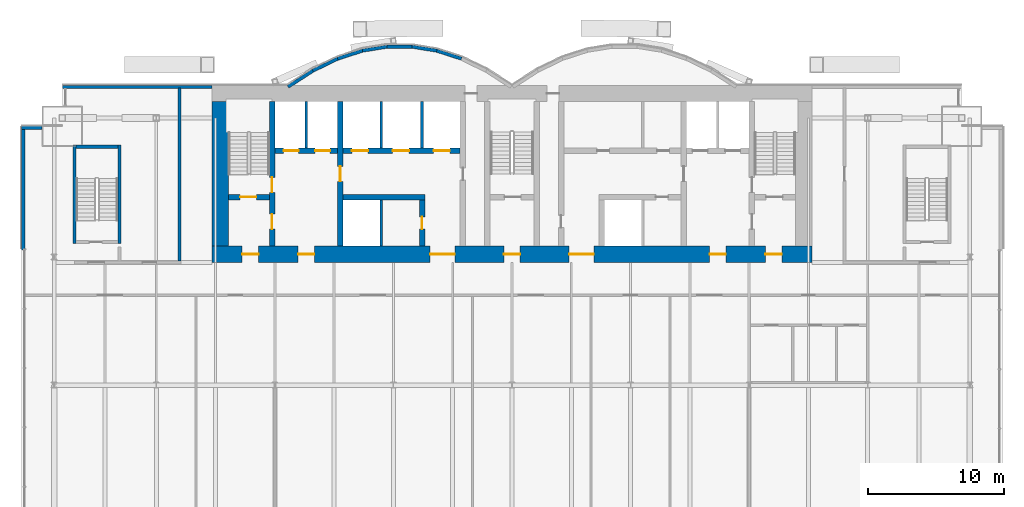
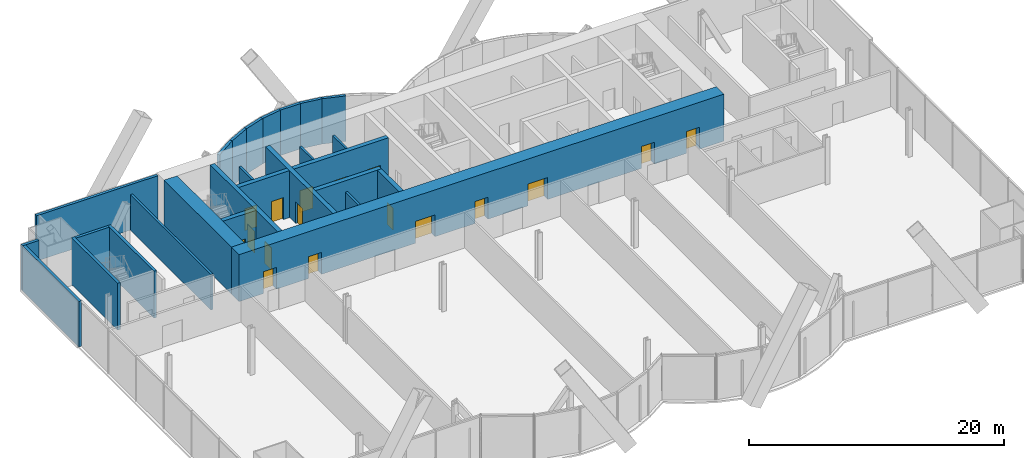
# One storey, part 17 of 23: 26 walls, 17 doors, 17 openings.
"""IFC4 building model written with IfcOpenShell, lengths in metres."""

from ifc_helpers import new_model, si_unit, direction, frame, frame_2d, origin, place, context, subcontext, project, spatial, rectangle, extrude, material, layer, layer_set, layer_usage, type_object, element, fill, save


model = new_model("IFC4")

# Units and contexts
model_context = context("Model", 3, precision=1e-05, world=origin(), true_north=direction((0.0, 1.0)))
body_context = subcontext(model_context, "Body", "Model", "MODEL_VIEW")
ifc_project = project(units=[si_unit("LENGTHUNIT", "METRE"), si_unit("AREAUNIT", "SQUARE_METRE"), si_unit("VOLUMEUNIT", "CUBIC_METRE"), si_unit("PLANEANGLEUNIT", "RADIAN"), si_unit("MASSUNIT", "GRAM", prefix="KILO")], contexts=[model_context])

# Site, building, storey
site_placement = place(None, origin())
site = spatial("IfcSite", under=ifc_project, at=site_placement, CompositionType="ELEMENT")
building_placement = place(site_placement, origin())
building = spatial("IfcBuilding", under=site, at=building_placement, Name="Bicima Exchange Tower", CompositionType="ELEMENT")
storey_placement = place(building_placement, frame((0.0, 0.0, 44.0)))
storey = spatial("IfcBuildingStorey", under=building, at=storey_placement, Name="L08", CompositionType="ELEMENT", Elevation=44.0)

# Walls
ifc_material_1 = material(Name="Gypsum board partition")
ifc_layer_1 = layer(ifc_material_1, 0.199951171875)
ifc_layer_set_1 = layer_set([ifc_layer_1], Name="Gypsum board partition")
wall_type_1 = type_object("IfcWallType", Name="Fire-rated gypsum partition 200 EI120", PredefinedType="PARTITIONING", material=ifc_layer_set_1)
for number, where, z_axis, x_axis, name in (
    (1, (-15.10009765625, -4.60009765625, 0.0), (0.0, 0.0, 1.0), (0.0, 1.0, 0.0), "partition wall 9"),
    (2, (-9.60009765625, -11.800048828125, 0.0), (0.0, 0.0, 1.0), (0.0, 1.0, 0.0), "partition wall 11"),
    (3, (-9.60009765625, -4.60009765625, 0.0), (0.0, 0.0, 1.0), (0.0, 1.0, 0.0), "partition wall 12"),
    (4, (-6.60009765625, -4.60009765625, 0.0), (0.0, 0.0, 1.0), (0.0, 1.0, 0.0), "partition wall 14"),
):
    element("IfcWall", number, at=place(storey_placement, frame(where, z_axis=z_axis, x_axis=x_axis)), inside=storey, type_object=wall_type_1, Name=name, PredefinedType="PARTITIONING", context=body_context, shape_type="SweptSolid", body=[
        extrude(rectangle(XDim=3.400146484375, YDim=0.199951171875, at=frame_2d((1.7001953125, 0.0))), origin(), (0.0, 0.0, 1.0), 3.418212890625),
    ])
ifc_layer_2 = layer(ifc_material_1, 0.199951171875)
ifc_layer_set_2 = layer_set([ifc_layer_2], Name="Gypsum board partition")
wall_type_2 = type_object("IfcWallType", Name="Fire-rated gypsum partition 200 EI60", PredefinedType="PARTITIONING", material=ifc_layer_set_2)
wall_1_placement = place(storey_placement, frame((-24.39990234375, -12.89990234375, 0.0), z_axis=(0.0, 0.0, 1.0), x_axis=(0.0, 1.0, 0.0)))
element("IfcWall", 5, at=wall_1_placement, inside=storey, type_object=wall_type_2, Name="partition wall 14", PredefinedType="PARTITIONING", context=body_context, shape_type="SweptSolid", body=[
    extrude(rectangle(XDim=12.68994140625, YDim=0.199951171875, at=frame_2d((6.344970703125, 0.0))), origin(), (0.0, 0.0, 1.0), 3.418212890625),
])

# Wall, openings, doors
ifc_material_2 = material(Name="Concrete C60/75", Category="concrete")
ifc_layer_3 = layer(ifc_material_2, 1.199951171875)
ifc_layer_set_3 = layer_set([ifc_layer_3], Name="Concrete C60/75")
wall_type_3 = type_object("IfcWallType", Name="RC core wall 1200 C60/75", PredefinedType="SHEAR", material=ifc_layer_set_3)
wall_2_placement = place(storey_placement, frame((-22.0, -12.39990234375, 0.0), z_axis=(0.0, 0.0, 1.0), x_axis=(1.0, 0.0, 0.0)))
wall_2 = element("IfcWall", 6, at=wall_2_placement, inside=storey, type_object=wall_type_3, Name="Core wall south", PredefinedType="SHEAR", context=body_context, shape_type="SweptSolid", body=[
    extrude(rectangle(XDim=44.0, YDim=1.199951171875, at=frame_2d((22.0, 0.0))), origin(), (0.0, 0.0, 1.0), 4.5),
])
opening_1_placement = place(wall_2_placement, frame((2.199951171875, 0.0, 0.0)))
opening_1 = element("IfcOpeningElement", 7, at=opening_1_placement, cuts=wall_2, Name="Opening L08-C18", PredefinedType="OPENING", context=body_context, shape_type="SweptSolid", body=[
    extrude(rectangle(XDim=1.199951171875, YDim=2.10009765625, at=frame_2d((0.60009765625, 1.050048828125))), frame((0.0, 0.61181640625, 0.0), z_axis=(0.0, -1.0, 0.0), x_axis=(1.0, 0.0, 0.0)), (0.0, 0.0, 1.0), 1.223876953125),
])
opening_2_placement = place(wall_2_placement, frame((21.39990234375, 0.0, 0.0)))
opening_2 = element("IfcOpeningElement", 8, at=opening_2_placement, cuts=wall_2, Name="Opening L08-C19", PredefinedType="OPENING", context=body_context, shape_type="SweptSolid", body=[
    extrude(rectangle(XDim=1.199951171875, YDim=2.10009765625, at=frame_2d((0.60009765625, 1.050048828125))), frame((0.0, 0.61181640625, 0.0), z_axis=(0.0, -1.0, 0.0), x_axis=(1.0, 0.0, 0.0)), (0.0, 0.0, 1.0), 1.223876953125),
])
opening_3_placement = place(wall_2_placement, frame((40.60009765625, 0.0, 0.0)))
opening_3 = element("IfcOpeningElement", 9, at=opening_3_placement, cuts=wall_2, Name="Opening L08-C20", PredefinedType="OPENING", context=body_context, shape_type="SweptSolid", body=[
    extrude(rectangle(XDim=1.199951171875, YDim=2.10009765625, at=frame_2d((0.60009765625, 1.050048828125))), frame((0.0, 0.61181640625, 0.0), z_axis=(0.0, -1.0, 0.0), x_axis=(1.0, 0.0, 0.0)), (0.0, 0.0, 1.0), 1.223876953125),
])
opening_4_placement = place(wall_2_placement, frame((16.0, 0.0, 0.0)))
opening_4 = element("IfcOpeningElement", 10, at=opening_4_placement, cuts=wall_2, Name="Opening L08-C21", PredefinedType="OPENING", context=body_context, shape_type="SweptSolid", body=[
    extrude(rectangle(XDim=1.800048828125, YDim=2.10009765625, at=frame_2d((0.89990234375, 1.050048828125))), frame((0.0, 0.61181640625, 0.0), z_axis=(0.0, -1.0, 0.0), x_axis=(1.0, 0.0, 0.0)), (0.0, 0.0, 1.0), 1.223876953125),
])
opening_5_placement = place(wall_2_placement, frame((6.300048828125, 0.0, 0.0)))
opening_5 = element("IfcOpeningElement", 11, at=opening_5_placement, cuts=wall_2, Name="Opening L08-C22", PredefinedType="OPENING", context=body_context, shape_type="SweptSolid", body=[
    extrude(rectangle(XDim=1.199951171875, YDim=2.10009765625, at=frame_2d((0.60009765625, 1.050048828125))), frame((0.0, 0.61181640625, 0.0), z_axis=(0.0, -1.0, 0.0), x_axis=(1.0, 0.0, 0.0)), (0.0, 0.0, 1.0), 1.223876953125),
])
opening_6_placement = place(wall_2_placement, frame((26.199951171875, 0.0, 0.0)))
opening_6 = element("IfcOpeningElement", 12, at=opening_6_placement, cuts=wall_2, Name="Opening L08-C23", PredefinedType="OPENING", context=body_context, shape_type="SweptSolid", body=[
    extrude(rectangle(XDim=1.800048828125, YDim=2.10009765625, at=frame_2d((0.89990234375, 1.050048828125))), frame((0.0, 0.61181640625, 0.0), z_axis=(0.0, -1.0, 0.0), x_axis=(1.0, 0.0, 0.0)), (0.0, 0.0, 1.0), 1.223876953125),
])
opening_7_placement = place(wall_2_placement, frame((36.5, 0.0, 0.0)))
opening_7 = element("IfcOpeningElement", 13, at=opening_7_placement, cuts=wall_2, Name="Opening L08-C24", PredefinedType="OPENING", context=body_context, shape_type="SweptSolid", body=[
    extrude(rectangle(XDim=1.199951171875, YDim=2.10009765625, at=frame_2d((0.60009765625, 1.050048828125))), frame((0.0, 0.61181640625, 0.0), z_axis=(0.0, -1.0, 0.0), x_axis=(1.0, 0.0, 0.0)), (0.0, 0.0, 1.0), 1.223876953125),
])
ifc_material_3 = material(Name="Steel fire door leaf", Category="steel")
door_type_1 = type_object("IfcDoorType", Name="Door 1200 swing FD60S", OperationType="SINGLE_SWING_LEFT", PredefinedType="DOOR", material=ifc_material_3)
door_1_placement = place(opening_1_placement, frame((1.199951171875, 0.0, 0.0), z_axis=(0.0, 0.0, 1.0), x_axis=(-1.0, 0.0, 0.0)))
door_1 = element("IfcDoor", 14, at=door_1_placement, inside=storey, type_object=door_type_1, Name="Core door", OperationType="SINGLE_SWING_RIGHT", OverallHeight=2.10009765625, OverallWidth=1.199951171875, PredefinedType="DOOR", context=body_context, shape_type="SweptSolid", body=[
    extrude(rectangle(XDim=1.199951171875, YDim=2.10009765625, at=frame_2d((0.60009765625, 1.050048828125))), frame((0.0, 0.02490234375, 0.0), z_axis=(0.0, -1.0, 0.0), x_axis=(1.0, 0.0, 0.0)), (0.0, 0.0, 1.0), 0.050048828125),
])
fill(opening_1, door_1)
door_2_placement = place(opening_2_placement, frame((1.199951171875, 0.0, 0.0), z_axis=(0.0, 0.0, 1.0), x_axis=(-1.0, 0.0, 0.0)))
door_2 = element("IfcDoor", 15, at=door_2_placement, inside=storey, type_object=door_type_1, Name="Core door", OperationType="SINGLE_SWING_RIGHT", OverallHeight=2.10009765625, OverallWidth=1.199951171875, PredefinedType="DOOR", context=body_context, shape_type="SweptSolid", body=[
    extrude(rectangle(XDim=1.199951171875, YDim=2.10009765625, at=frame_2d((0.60009765625, 1.050048828125))), frame((0.0, 0.02490234375, 0.0), z_axis=(0.0, -1.0, 0.0), x_axis=(1.0, 0.0, 0.0)), (0.0, 0.0, 1.0), 0.050048828125),
])
fill(opening_2, door_2)
door_3_placement = place(opening_3_placement, frame((1.199951171875, 0.0, 0.0), z_axis=(0.0, 0.0, 1.0), x_axis=(-1.0, 0.0, 0.0)))
door_3 = element("IfcDoor", 16, at=door_3_placement, inside=storey, type_object=door_type_1, Name="Core door", OperationType="SINGLE_SWING_RIGHT", OverallHeight=2.10009765625, OverallWidth=1.199951171875, PredefinedType="DOOR", context=body_context, shape_type="SweptSolid", body=[
    extrude(rectangle(XDim=1.199951171875, YDim=2.10009765625, at=frame_2d((0.60009765625, 1.050048828125))), frame((0.0, 0.02490234375, 0.0), z_axis=(0.0, -1.0, 0.0), x_axis=(1.0, 0.0, 0.0)), (0.0, 0.0, 1.0), 0.050048828125),
])
fill(opening_3, door_3)
door_4_placement = place(opening_5_placement, frame((1.199951171875, 0.0, 0.0), z_axis=(0.0, 0.0, 1.0), x_axis=(-1.0, 0.0, 0.0)))
door_4 = element("IfcDoor", 17, at=door_4_placement, inside=storey, type_object=door_type_1, Name="Core door", OperationType="SINGLE_SWING_RIGHT", OverallHeight=2.10009765625, OverallWidth=1.199951171875, PredefinedType="DOOR", context=body_context, shape_type="SweptSolid", body=[
    extrude(rectangle(XDim=1.199951171875, YDim=2.10009765625, at=frame_2d((0.60009765625, 1.050048828125))), frame((0.0, 0.02490234375, 0.0), z_axis=(0.0, -1.0, 0.0), x_axis=(1.0, 0.0, 0.0)), (0.0, 0.0, 1.0), 0.050048828125),
])
fill(opening_5, door_4)
door_5_placement = place(opening_7_placement, frame((1.199951171875, 0.0, 0.0), z_axis=(0.0, 0.0, 1.0), x_axis=(-1.0, 0.0, 0.0)))
door_5 = element("IfcDoor", 18, at=door_5_placement, inside=storey, type_object=door_type_1, Name="Core door", OperationType="SINGLE_SWING_RIGHT", OverallHeight=2.10009765625, OverallWidth=1.199951171875, PredefinedType="DOOR", context=body_context, shape_type="SweptSolid", body=[
    extrude(rectangle(XDim=1.199951171875, YDim=2.10009765625, at=frame_2d((0.60009765625, 1.050048828125))), frame((0.0, 0.02490234375, 0.0), z_axis=(0.0, -1.0, 0.0), x_axis=(1.0, 0.0, 0.0)), (0.0, 0.0, 1.0), 0.050048828125),
])
fill(opening_7, door_5)
door_type_2 = type_object("IfcDoorType", Name="Door 1800 double swing FD30S", OperationType="DOUBLE_DOOR_SINGLE_SWING", PredefinedType="DOOR", material=ifc_material_3)
door_6_placement = place(opening_4_placement, origin())
door_6 = element("IfcDoor", 19, at=door_6_placement, inside=storey, type_object=door_type_2, Name="Core door", OperationType="SINGLE_SWING_LEFT", OverallHeight=2.10009765625, OverallWidth=1.800048828125, PredefinedType="DOOR", context=body_context, shape_type="SweptSolid", body=[
    extrude(rectangle(XDim=1.800048828125, YDim=2.10009765625, at=frame_2d((0.89990234375, 1.050048828125))), frame((0.0, 0.02490234375, 0.0), z_axis=(0.0, -1.0, 0.0), x_axis=(1.0, 0.0, 0.0)), (0.0, 0.0, 1.0), 0.050048828125),
])
fill(opening_4, door_6)
door_7_placement = place(opening_6_placement, origin())
door_7 = element("IfcDoor", 20, at=door_7_placement, inside=storey, type_object=door_type_2, Name="Core door", OperationType="SINGLE_SWING_LEFT", OverallHeight=2.10009765625, OverallWidth=1.800048828125, PredefinedType="DOOR", context=body_context, shape_type="SweptSolid", body=[
    extrude(rectangle(XDim=1.800048828125, YDim=2.10009765625, at=frame_2d((0.89990234375, 1.050048828125))), frame((0.0, 0.02490234375, 0.0), z_axis=(0.0, -1.0, 0.0), x_axis=(1.0, 0.0, 0.0)), (0.0, 0.0, 1.0), 0.050048828125),
])
fill(opening_6, door_7)

# Wall
wall_3_placement = place(storey_placement, frame((-21.39990234375, -11.800048828125, 0.0), z_axis=(0.0, 0.0, 1.0), x_axis=(0.0, 1.0, 0.0)))
element("IfcWall", 21, at=wall_3_placement, inside=storey, type_object=wall_type_3, Name="Core wall west", PredefinedType="SHEAR", context=body_context, shape_type="SweptSolid", body=[
    extrude(rectangle(XDim=10.60009765625, YDim=1.199951171875, at=frame_2d((5.300048828125, 0.0))), origin(), (0.0, 0.0, 1.0), 4.5),
])

# Wall, opening, door
ifc_material_4 = material(Name="Concrete C50/60", Category="concrete")
ifc_layer_4 = layer(ifc_material_4, 0.39990234375)
ifc_layer_set_4 = layer_set([ifc_layer_4], Name="Concrete C50/60")
wall_type_4 = type_object("IfcWallType", Name="RC core wall 400 C50/60", PredefinedType="SHEAR", material=ifc_layer_set_4)
wall_4_placement = place(storey_placement, frame((-20.800048828125, -8.199951171875, 0.0), z_axis=(0.0, 0.0, 1.0), x_axis=(1.0, 0.0, 0.0)))
wall_4 = element("IfcWall", 22, at=wall_4_placement, inside=storey, type_object=wall_type_4, Name="stair wall 1", PredefinedType="SHEAR", context=body_context, shape_type="SweptSolid", body=[
    extrude(rectangle(XDim=3.0, YDim=0.39990234375, at=frame_2d((1.5, 0.0))), origin(), (0.0, 0.0, 1.0), 4.5),
])
opening_8_placement = place(wall_4_placement, frame((0.85009765625, 0.0, 0.0)))
opening_8 = element("IfcOpeningElement", 23, at=opening_8_placement, cuts=wall_4, Name="Opening L08-C01", PredefinedType="OPENING", context=body_context, shape_type="SweptSolid", body=[
    extrude(rectangle(XDim=1.199951171875, YDim=2.10009765625, at=frame_2d((0.60009765625, 1.050048828125))), frame((0.0, 0.2119140625, 0.0), z_axis=(0.0, -1.0, 0.0), x_axis=(1.0, 0.0, 0.0)), (0.0, 0.0, 1.0), 0.423828125),
])
door_8_placement = place(opening_8_placement, origin())
door_8 = element("IfcDoor", 24, at=door_8_placement, inside=storey, type_object=door_type_1, Name="Core door", OperationType="SINGLE_SWING_LEFT", OverallHeight=2.10009765625, OverallWidth=1.199951171875, PredefinedType="DOOR", context=body_context, shape_type="SweptSolid", body=[
    extrude(rectangle(XDim=1.199951171875, YDim=2.10009765625, at=frame_2d((0.60009765625, 1.050048828125))), frame((0.0, 0.02490234375, 0.0), z_axis=(0.0, -1.0, 0.0), x_axis=(1.0, 0.0, 0.0)), (0.0, 0.0, 1.0), 0.050048828125),
])
fill(opening_8, door_8)

# Wall, openings, doors
wall_5_placement = place(storey_placement, frame((-17.60009765625, -11.800048828125, 0.0), z_axis=(0.0, 0.0, 1.0), x_axis=(0.0, 1.0, 0.0)))
wall_5 = element("IfcWall", 25, at=wall_5_placement, inside=storey, type_object=wall_type_4, Name="stair wall 8", PredefinedType="SHEAR", context=body_context, shape_type="SweptSolid", body=[
    extrude(rectangle(XDim=10.60009765625, YDim=0.39990234375, at=frame_2d((5.300048828125, 0.0))), origin(), (0.0, 0.0, 1.0), 4.5),
])
opening_9_placement = place(wall_5_placement, frame((1.25, 0.0, 0.0)))
opening_9 = element("IfcOpeningElement", 26, at=opening_9_placement, cuts=wall_5, Name="Opening L08-C02", PredefinedType="OPENING", context=body_context, shape_type="SweptSolid", body=[
    extrude(rectangle(XDim=1.10009765625, YDim=2.10009765625, at=frame_2d((0.550048828125, 1.050048828125))), frame((0.0, 0.2119140625, 0.0), z_axis=(0.0, -1.0, 0.0), x_axis=(1.0, 0.0, 0.0)), (0.0, 0.0, 1.0), 0.423828125),
])
opening_10_placement = place(wall_5_placement, frame((3.949951171875, 0.0, 0.0)))
opening_10 = element("IfcOpeningElement", 27, at=opening_10_placement, cuts=wall_5, Name="Opening L08-C06", PredefinedType="OPENING", context=body_context, shape_type="SweptSolid", body=[
    extrude(rectangle(XDim=1.10009765625, YDim=2.10009765625, at=frame_2d((0.550048828125, 1.050048828125))), frame((0.0, 0.2119140625, 0.0), z_axis=(0.0, -1.0, 0.0), x_axis=(1.0, 0.0, 0.0)), (0.0, 0.0, 1.0), 0.423828125),
])
door_type_3 = type_object("IfcDoorType", Name="Door 1100 swing FD60S", OperationType="SINGLE_SWING_LEFT", PredefinedType="DOOR", material=ifc_material_3)
door_9_placement = place(opening_9_placement, frame((1.10009765625, 0.0, 0.0), z_axis=(0.0, 0.0, 1.0), x_axis=(-1.0, 0.0, 0.0)))
door_9 = element("IfcDoor", 28, at=door_9_placement, inside=storey, type_object=door_type_3, Name="Core door", OperationType="SINGLE_SWING_LEFT", OverallHeight=2.10009765625, OverallWidth=1.10009765625, PredefinedType="DOOR", context=body_context, shape_type="SweptSolid", body=[
    extrude(rectangle(XDim=1.10009765625, YDim=2.10009765625, at=frame_2d((0.550048828125, 1.050048828125))), frame((0.0, 0.02490234375, 0.0), z_axis=(0.0, -1.0, 0.0), x_axis=(1.0, 0.0, 0.0)), (0.0, 0.0, 1.0), 0.050048828125),
])
fill(opening_9, door_9)
door_10_placement = place(opening_10_placement, frame((1.10009765625, 0.0, 0.0), z_axis=(0.0, 0.0, 1.0), x_axis=(-1.0, 0.0, 0.0)))
door_10 = element("IfcDoor", 29, at=door_10_placement, inside=storey, type_object=door_type_3, Name="Core door", OperationType="SINGLE_SWING_LEFT", OverallHeight=2.10009765625, OverallWidth=1.10009765625, PredefinedType="DOOR", context=body_context, shape_type="SweptSolid", body=[
    extrude(rectangle(XDim=1.10009765625, YDim=2.10009765625, at=frame_2d((0.550048828125, 1.050048828125))), frame((0.0, 0.02490234375, 0.0), z_axis=(0.0, -1.0, 0.0), x_axis=(1.0, 0.0, 0.0)), (0.0, 0.0, 1.0), 0.050048828125),
])
fill(opening_10, door_10)

# Wall
ifc_layer_5 = layer(ifc_material_2, 0.39990234375)
ifc_layer_set_5 = layer_set([ifc_layer_5], Name="Concrete C60/75")
wall_type_5 = type_object("IfcWallType", Name="RC core wall 400 C60/75", PredefinedType="SHEAR", material=ifc_layer_set_5)
wall_6_placement = place(storey_placement, frame((-12.39990234375, -8.199951171875, 0.0), z_axis=(0.0, 0.0, 1.0), x_axis=(1.0, 0.0, 0.0)))
element("IfcWall", 30, at=wall_6_placement, inside=storey, type_object=wall_type_5, Name="shear wall 2", PredefinedType="SHEAR", context=body_context, shape_type="SweptSolid", body=[
    extrude(rectangle(XDim=6.0, YDim=0.39990234375, at=frame_2d((3.0, 0.0))), origin(), (0.0, 0.0, 1.0), 4.5),
])

# Wall, openings, doors
wall_7_placement = place(storey_placement, frame((-17.39990234375, -4.800048828125, 0.0), z_axis=(0.0, 0.0, 1.0), x_axis=(1.0, 0.0, 0.0)))
wall_7 = element("IfcWall", 31, at=wall_7_placement, inside=storey, type_object=wall_type_5, Name="shear wall 6", PredefinedType="SHEAR", context=body_context, shape_type="SweptSolid", body=[
    extrude(rectangle(XDim=13.599853515625, YDim=0.39990234375, at=frame_2d((6.7998046875, 0.0))), origin(), (0.0, 0.0, 1.0), 4.5),
])
opening_11_placement = place(wall_7_placement, frame((0.64990234375, 0.0, 0.0)))
opening_11 = element("IfcOpeningElement", 32, at=opening_11_placement, cuts=wall_7, Name="Opening LD-FF1-L08", PredefinedType="OPENING", context=body_context, shape_type="SweptSolid", body=[
    extrude(rectangle(XDim=1.10009765625, YDim=2.10009765625, at=frame_2d((0.550048828125, 1.050048828125))), frame((0.0, 0.2119140625, 0.0), z_axis=(0.0, -1.0, 0.0), x_axis=(1.0, 0.0, 0.0)), (0.0, 0.0, 1.0), 0.423828125),
])
opening_12_placement = place(wall_7_placement, frame((2.949951171875, 0.0, 0.0)))
opening_12 = element("IfcOpeningElement", 33, at=opening_12_placement, cuts=wall_7, Name="Opening LD-FF3-L08", PredefinedType="OPENING", context=body_context, shape_type="SweptSolid", body=[
    extrude(rectangle(XDim=1.10009765625, YDim=2.10009765625, at=frame_2d((0.550048828125, 1.050048828125))), frame((0.0, 0.2119140625, 0.0), z_axis=(0.0, -1.0, 0.0), x_axis=(1.0, 0.0, 0.0)), (0.0, 0.0, 1.0), 0.423828125),
])
opening_13_placement = place(wall_7_placement, frame((5.64990234375, 0.0, 0.0)))
opening_13 = element("IfcOpeningElement", 34, at=opening_13_placement, cuts=wall_7, Name="Opening LD-LB1-L08", PredefinedType="OPENING", context=body_context, shape_type="SweptSolid", body=[
    extrude(rectangle(XDim=1.199951171875, YDim=2.10009765625, at=frame_2d((0.60009765625, 1.050048828125))), frame((0.0, 0.2119140625, 0.0), z_axis=(0.0, -1.0, 0.0), x_axis=(1.0, 0.0, 0.0)), (0.0, 0.0, 1.0), 0.423828125),
])
opening_14_placement = place(wall_7_placement, frame((8.64990234375, 0.0, 0.0)))
opening_14 = element("IfcOpeningElement", 35, at=opening_14_placement, cuts=wall_7, Name="Opening LD-LB2-L08", PredefinedType="OPENING", context=body_context, shape_type="SweptSolid", body=[
    extrude(rectangle(XDim=1.199951171875, YDim=2.10009765625, at=frame_2d((0.60009765625, 1.050048828125))), frame((0.0, 0.2119140625, 0.0), z_axis=(0.0, -1.0, 0.0), x_axis=(1.0, 0.0, 0.0)), (0.0, 0.0, 1.0), 0.423828125),
])
opening_15_placement = place(wall_7_placement, frame((11.64990234375, 0.0, 0.0)))
opening_15 = element("IfcOpeningElement", 36, at=opening_15_placement, cuts=wall_7, Name="Opening LD-LB3-L08", PredefinedType="OPENING", context=body_context, shape_type="SweptSolid", body=[
    extrude(rectangle(XDim=1.199951171875, YDim=2.10009765625, at=frame_2d((0.60009765625, 1.050048828125))), frame((0.0, 0.2119140625, 0.0), z_axis=(0.0, -1.0, 0.0), x_axis=(1.0, 0.0, 0.0)), (0.0, 0.0, 1.0), 0.423828125),
])
ifc_material_5 = material(Name="Stainless steel", Category="steel")
door_type_4 = type_object("IfcDoorType", Name="Lift landing door 1100 sliding", OperationType="DOUBLE_DOOR_SLIDING", PredefinedType="DOOR", material=ifc_material_5)
door_11_placement = place(opening_11_placement, origin())
door_11 = element("IfcDoor", 37, at=door_11_placement, inside=storey, type_object=door_type_4, Name="Lift landing door FF1", OperationType="DOUBLE_DOOR_SLIDING", OverallHeight=2.10009765625, OverallWidth=1.10009765625, PredefinedType="DOOR", context=body_context, shape_type="SweptSolid", body=[
    extrude(rectangle(XDim=1.10009765625, YDim=2.10009765625, at=frame_2d((0.550048828125, 1.050048828125))), frame((0.0, 0.02490234375, 0.0), z_axis=(0.0, -1.0, 0.0), x_axis=(1.0, 0.0, 0.0)), (0.0, 0.0, 1.0), 0.050048828125),
])
fill(opening_11, door_11)
door_12_placement = place(opening_12_placement, origin())
door_12 = element("IfcDoor", 38, at=door_12_placement, inside=storey, type_object=door_type_4, Name="Lift landing door FF3", OperationType="DOUBLE_DOOR_SLIDING", OverallHeight=2.10009765625, OverallWidth=1.10009765625, PredefinedType="DOOR", context=body_context, shape_type="SweptSolid", body=[
    extrude(rectangle(XDim=1.10009765625, YDim=2.10009765625, at=frame_2d((0.550048828125, 1.050048828125))), frame((0.0, 0.02490234375, 0.0), z_axis=(0.0, -1.0, 0.0), x_axis=(1.0, 0.0, 0.0)), (0.0, 0.0, 1.0), 0.050048828125),
])
fill(opening_12, door_12)
door_type_5 = type_object("IfcDoorType", Name="Lift landing door 1200 sliding", OperationType="DOUBLE_DOOR_SLIDING", PredefinedType="DOOR", material=ifc_material_5)
door_13_placement = place(opening_13_placement, origin())
door_13 = element("IfcDoor", 39, at=door_13_placement, inside=storey, type_object=door_type_5, Name="Lift landing door LB1", OperationType="DOUBLE_DOOR_SLIDING", OverallHeight=2.10009765625, OverallWidth=1.199951171875, PredefinedType="DOOR", context=body_context, shape_type="SweptSolid", body=[
    extrude(rectangle(XDim=1.199951171875, YDim=2.10009765625, at=frame_2d((0.60009765625, 1.050048828125))), frame((0.0, 0.02490234375, 0.0), z_axis=(0.0, -1.0, 0.0), x_axis=(1.0, 0.0, 0.0)), (0.0, 0.0, 1.0), 0.050048828125),
])
fill(opening_13, door_13)
door_14_placement = place(opening_14_placement, origin())
door_14 = element("IfcDoor", 40, at=door_14_placement, inside=storey, type_object=door_type_5, Name="Lift landing door LB2", OperationType="DOUBLE_DOOR_SLIDING", OverallHeight=2.10009765625, OverallWidth=1.199951171875, PredefinedType="DOOR", context=body_context, shape_type="SweptSolid", body=[
    extrude(rectangle(XDim=1.199951171875, YDim=2.10009765625, at=frame_2d((0.60009765625, 1.050048828125))), frame((0.0, 0.02490234375, 0.0), z_axis=(0.0, -1.0, 0.0), x_axis=(1.0, 0.0, 0.0)), (0.0, 0.0, 1.0), 0.050048828125),
])
fill(opening_14, door_14)
door_15_placement = place(opening_15_placement, origin())
door_15 = element("IfcDoor", 41, at=door_15_placement, inside=storey, type_object=door_type_5, Name="Lift landing door LB3", OperationType="DOUBLE_DOOR_SLIDING", OverallHeight=2.10009765625, OverallWidth=1.199951171875, PredefinedType="DOOR", context=body_context, shape_type="SweptSolid", body=[
    extrude(rectangle(XDim=1.199951171875, YDim=2.10009765625, at=frame_2d((0.60009765625, 1.050048828125))), frame((0.0, 0.02490234375, 0.0), z_axis=(0.0, -1.0, 0.0), x_axis=(1.0, 0.0, 0.0)), (0.0, 0.0, 1.0), 0.050048828125),
])
fill(opening_15, door_15)

# Wall, opening, door
wall_8_placement = place(storey_placement, frame((-12.60009765625, -11.800048828125, 0.0), z_axis=(0.0, 0.0, 1.0), x_axis=(0.0, 1.0, 0.0)))
wall_8 = element("IfcWall", 42, at=wall_8_placement, inside=storey, type_object=wall_type_5, Name="shear wall 10", PredefinedType="SHEAR", context=body_context, shape_type="SweptSolid", body=[
    extrude(rectangle(XDim=10.60009765625, YDim=0.39990234375, at=frame_2d((5.300048828125, 0.0))), origin(), (0.0, 0.0, 1.0), 4.5),
])
opening_16_placement = place(wall_8_placement, frame((4.75, 0.0, 0.0)))
opening_16 = element("IfcOpeningElement", 43, at=opening_16_placement, cuts=wall_8, Name="Opening L08-C07", PredefinedType="OPENING", context=body_context, shape_type="SweptSolid", body=[
    extrude(rectangle(XDim=1.10009765625, YDim=2.10009765625, at=frame_2d((0.550048828125, 1.050048828125))), frame((0.0, 0.2119140625, 0.0), z_axis=(0.0, -1.0, 0.0), x_axis=(1.0, 0.0, 0.0)), (0.0, 0.0, 1.0), 0.423828125),
])
door_16_placement = place(opening_16_placement, origin())
door_16 = element("IfcDoor", 44, at=door_16_placement, inside=storey, type_object=door_type_3, Name="Core door", OperationType="SINGLE_SWING_LEFT", OverallHeight=2.10009765625, OverallWidth=1.10009765625, PredefinedType="DOOR", context=body_context, shape_type="SweptSolid", body=[
    extrude(rectangle(XDim=1.10009765625, YDim=2.10009765625, at=frame_2d((0.550048828125, 1.050048828125))), frame((0.0, 0.02490234375, 0.0), z_axis=(0.0, -1.0, 0.0), x_axis=(1.0, 0.0, 0.0)), (0.0, 0.0, 1.0), 0.050048828125),
])
fill(opening_16, door_16)

wall_9_placement = place(storey_placement, frame((-6.60009765625, -11.800048828125, 0.0), z_axis=(0.0, 0.0, 1.0), x_axis=(0.0, 1.0, 0.0)))
wall_9 = element("IfcWall", 45, at=wall_9_placement, inside=storey, type_object=wall_type_5, Name="shear wall 13", PredefinedType="SHEAR", context=body_context, shape_type="SweptSolid", body=[
    extrude(rectangle(XDim=3.400146484375, YDim=0.39990234375, at=frame_2d((1.7001953125, 0.0))), origin(), (0.0, 0.0, 1.0), 4.5),
])
opening_17_placement = place(wall_9_placement, frame((1.25, 0.0, 0.0)))
opening_17 = element("IfcOpeningElement", 46, at=opening_17_placement, cuts=wall_9, Name="Opening L08-C14", PredefinedType="OPENING", context=body_context, shape_type="SweptSolid", body=[
    extrude(rectangle(XDim=0.89990234375, YDim=2.10009765625, at=frame_2d((0.449951171875, 1.050048828125))), frame((0.0, 0.2119140625, 0.0), z_axis=(0.0, -1.0, 0.0), x_axis=(1.0, 0.0, 0.0)), (0.0, 0.0, 1.0), 0.423828125),
])
door_type_6 = type_object("IfcDoorType", Name="Door 900 swing FD30S", OperationType="SINGLE_SWING_LEFT", PredefinedType="DOOR", material=ifc_material_3)
door_17_placement = place(opening_17_placement, origin())
door_17 = element("IfcDoor", 47, at=door_17_placement, inside=storey, type_object=door_type_6, Name="Core door", OperationType="SINGLE_SWING_RIGHT", OverallHeight=2.10009765625, OverallWidth=0.89990234375, PredefinedType="DOOR", context=body_context, shape_type="SweptSolid", body=[
    extrude(rectangle(XDim=0.89990234375, YDim=2.10009765625, at=frame_2d((0.449951171875, 1.050048828125))), frame((0.0, 0.02490234375, 0.0), z_axis=(0.0, -1.0, 0.0), x_axis=(1.0, 0.0, 0.0)), (0.0, 0.0, 1.0), 0.050048828125),
])
fill(opening_17, door_17)

# Walls
ifc_layer_6 = layer(ifc_material_4, 0.25)
ifc_layer_set_6 = layer_set([ifc_layer_6], Name="Concrete C50/60")
wall_type_6 = type_object("IfcWallType", Name="RC stair enclosure wall 250 C50/60", PredefinedType="SHEAR", material=ifc_layer_set_6)
for number, where, z_axis, x_axis, name in (
    (48, (-32.10009765625, -11.625, 0.0), (0.0, 0.0, 1.0), (0.0, 1.0, 0.0), "West end exit stair wall W"),
    (49, (-28.800048828125, -11.625, 0.0), (0.0, 0.0, 1.0), (0.0, 1.0, 0.0), "West end exit stair wall E"),
):
    element("IfcWall", number, at=place(storey_placement, frame(where, z_axis=z_axis, x_axis=x_axis)), inside=storey, type_object=wall_type_6, Name=name, PredefinedType="SHEAR", context=body_context, shape_type="SweptSolid", body=[
        extrude(rectangle(XDim=7.25, YDim=0.25, at=frame_2d((3.625, 0.0))), origin(), (0.0, 0.0, 1.0), 4.5),
    ])
wall_10_placement = place(storey_placement, frame((-31.97509765625, -4.5, 0.0), z_axis=(0.0, 0.0, 1.0), x_axis=(1.0, 0.0, 0.0)))
element("IfcWall", 50, at=wall_10_placement, inside=storey, type_object=wall_type_6, Name="West end exit stair wall N", PredefinedType="SHEAR", context=body_context, shape_type="SweptSolid", body=[
    extrude(rectangle(XDim=3.050048828125, YDim=0.25, at=frame_2d((1.52490234375, 0.0))), origin(), (0.0, 0.0, 1.0), 4.5),
])
ifc_material_6 = material(Name="Concrete C40/50", Category="concrete")
ifc_layer_7 = layer(ifc_material_6, 0.25)
ifc_layer_set_7 = layer_set([ifc_layer_7], Name="Concrete C40/50")
ifc_layer_usage = layer_usage(ifc_layer_set_7, "AXIS2", "POSITIVE", -0.125)
wall_type_7 = type_object("IfcWallType", Name="Rear backup wall 250", PredefinedType="STANDARD", material=ifc_layer_set_7)
wall_11_placement = place(storey_placement, frame((-3.705078125, 1.955078125, 0.0), z_axis=(0.0, 0.0, 1.0), x_axis=(-0.951495806175, 0.307661714928, 0.0)))
element("IfcWall", 51, at=wall_11_placement, inside=storey, type_object=wall_type_7, material=ifc_layer_usage, Name="Rear backup wall L08 13", PredefinedType="STANDARD", context=body_context, shape_type="SweptSolid", body=[
    extrude(rectangle(XDim=1.9267578125, YDim=0.25, at=frame_2d((0.96337890625, 0.0))), origin(), (0.0, 0.0, 1.0), 4.35009765625),
])
wall_12_placement = place(storey_placement, frame((-5.52001953125, 2.543212890625, 0.0), z_axis=(0.0, 0.0, 1.0), x_axis=(-0.987181718931, 0.159600293885, 0.0)))
element("IfcWall", 52, at=wall_12_placement, inside=storey, type_object=wall_type_7, material=ifc_layer_usage, Name="Rear backup wall L08 14", PredefinedType="STANDARD", context=body_context, shape_type="SweptSolid", body=[
    extrude(rectangle(XDim=1.857177734375, YDim=0.25, at=frame_2d((0.9287109375, 0.0))), origin(), (0.0, 0.0, 1.0), 4.35009765625),
])
wall_13_placement = place(storey_placement, frame((-7.333251953125, 2.837890625, 0.0), z_axis=(0.0, 0.0, 1.0), x_axis=(-1.0, 0.0, 0.0)))
element("IfcWall", 53, at=wall_13_placement, inside=storey, type_object=wall_type_7, material=ifc_layer_usage, Name="Rear backup wall L08 15", PredefinedType="STANDARD", context=body_context, shape_type="SweptSolid", body=[
    extrude(rectangle(XDim=1.83349609375, YDim=0.25, at=frame_2d((0.916748046875, 0.0))), origin(), (0.0, 0.0, 1.0), 4.35009765625),
])
wall_14_placement = place(storey_placement, frame((-9.146728515625, 2.839599609375, 0.0), z_axis=(0.0, 0.0, 1.0), x_axis=(-0.987181718931, -0.159600293885, 0.0)))
element("IfcWall", 54, at=wall_14_placement, inside=storey, type_object=wall_type_7, material=ifc_layer_usage, Name="Rear backup wall L08 16", PredefinedType="STANDARD", context=body_context, shape_type="SweptSolid", body=[
    extrude(rectangle(XDim=1.857177734375, YDim=0.25, at=frame_2d((0.9287109375, 0.0))), origin(), (0.0, 0.0, 1.0), 4.35009765625),
])
wall_15_placement = place(storey_placement, frame((-10.961669921875, 2.5478515625, 0.0), z_axis=(0.0, 0.0, 1.0), x_axis=(-0.951495806175, -0.307661714928, 0.0)))
element("IfcWall", 55, at=wall_15_placement, inside=storey, type_object=wall_type_7, material=ifc_layer_usage, Name="Rear backup wall L08 17", PredefinedType="STANDARD", context=body_context, shape_type="SweptSolid", body=[
    extrude(rectangle(XDim=1.9267578125, YDim=0.25, at=frame_2d((0.96337890625, 0.0))), origin(), (0.0, 0.0, 1.0), 4.35009765625),
])
wall_16_placement = place(storey_placement, frame((-12.77880859375, 1.961669921875, 0.0), z_axis=(0.0, 0.0, 1.0), x_axis=(-0.89982408427, -0.436252928206, 0.0)))
element("IfcWall", 56, at=wall_16_placement, inside=storey, type_object=wall_type_7, material=ifc_layer_usage, Name="Rear backup wall L08 18", PredefinedType="STANDARD", context=body_context, shape_type="SweptSolid", body=[
    extrude(rectangle(XDim=2.03759765625, YDim=0.25, at=frame_2d((1.018798828125, 0.0))), origin(), (0.0, 0.0, 1.0), 4.35009765625),
])
wall_17_placement = place(storey_placement, frame((-14.598876953125, 1.080078125, 0.0), z_axis=(0.0, 0.0, 1.0), x_axis=(-0.83981312244, -0.542875602121, 0.0)))
element("IfcWall", 57, at=wall_17_placement, inside=storey, type_object=wall_type_7, material=ifc_layer_usage, Name="Rear backup wall L08 19", PredefinedType="STANDARD", context=body_context, shape_type="SweptSolid", body=[
    extrude(rectangle(XDim=2.182861328125, YDim=0.25, at=frame_2d((1.09130859375, 0.0))), origin(), (0.0, 0.0, 1.0), 4.35009765625),
])
wall_18_placement = place(storey_placement, frame((-22.0, -0.125, 0.0), z_axis=(0.0, 0.0, 1.0), x_axis=(-1.0, 0.0, 0.0)))
element("IfcWall", 58, at=wall_18_placement, inside=storey, type_object=wall_type_7, material=ifc_layer_usage, Name="Rear backup wall L08 20", PredefinedType="STANDARD", context=body_context, shape_type="SweptSolid", body=[
    extrude(rectangle(XDim=11.0, YDim=0.25, at=frame_2d((5.5, 0.0))), origin(), (0.0, 0.0, 1.0), 4.35009765625),
])
wall_19_placement = place(storey_placement, frame((-34.5, -3.125, 0.0), z_axis=(0.0, 0.0, 1.0), x_axis=(-1.0, 0.0, 0.0)))
element("IfcWall", 59, at=wall_19_placement, inside=storey, type_object=wall_type_7, material=ifc_layer_usage, Name="Rear backup wall L08 22", PredefinedType="STANDARD", context=body_context, shape_type="SweptSolid", body=[
    extrude(rectangle(XDim=1.5, YDim=0.25, at=frame_2d((0.75, 0.0))), origin(), (0.0, 0.0, 1.0), 4.35009765625),
])
wall_20_placement = place(storey_placement, frame((-35.875, -3.0, 0.0), z_axis=(0.0, 0.0, 1.0), x_axis=(0.0, -1.0, 0.0)))
element("IfcWall", 60, at=wall_20_placement, inside=storey, type_object=wall_type_7, material=ifc_layer_usage, Name="Rear backup wall L08 23", PredefinedType="STANDARD", context=body_context, shape_type="SweptSolid", body=[
    extrude(rectangle(XDim=9.090087890625, YDim=0.25, at=frame_2d((4.544921875, 0.0))), origin(), (0.0, 0.0, 1.0), 4.35009765625),
])

save(model, "model.ifc")
